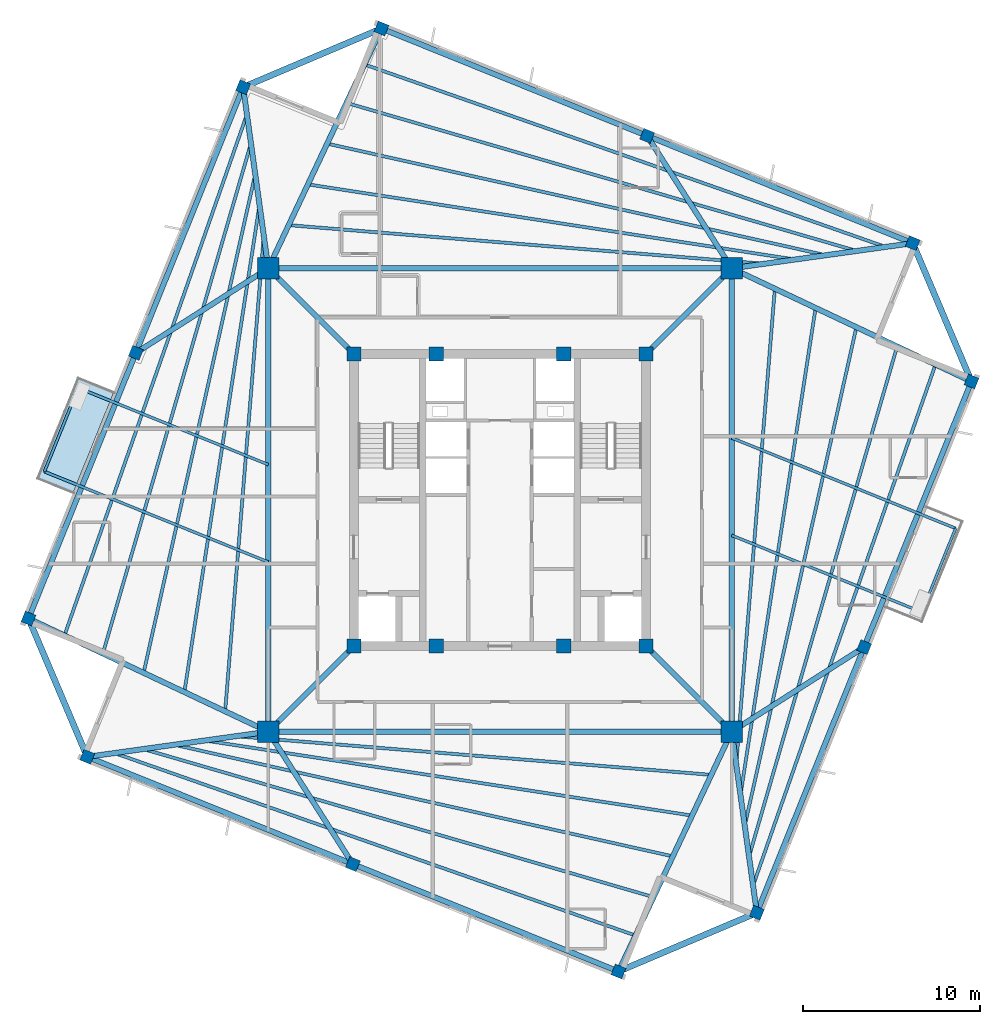
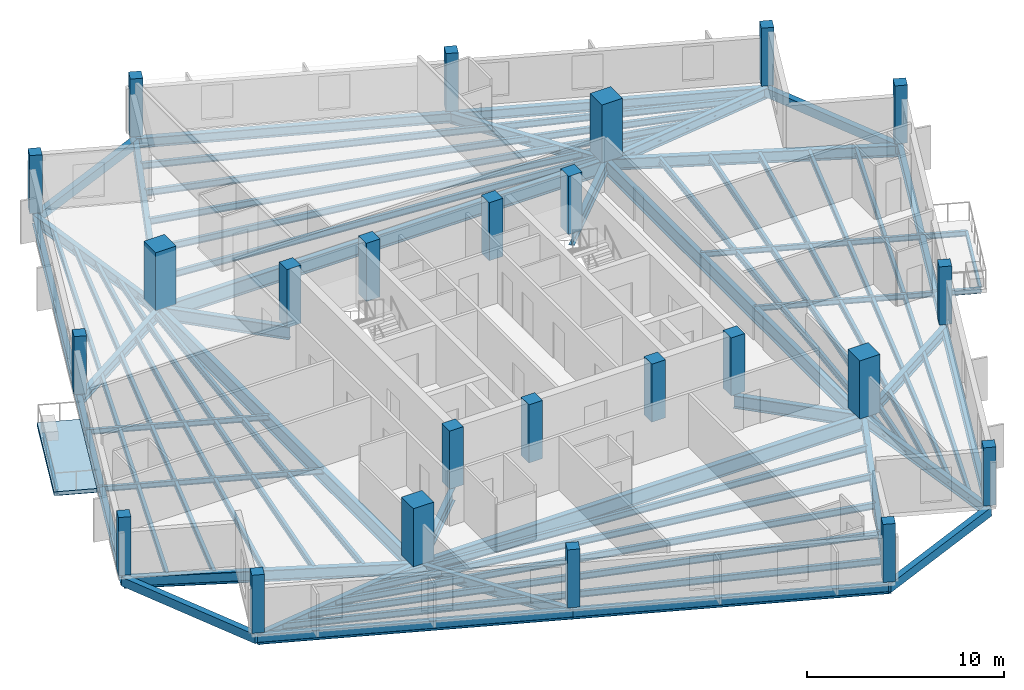
# One storey, part 1 of 8: 58 beams, 24 columns, 1 slab.
"""IFC4 building model written with IfcOpenShell, lengths in metres."""

from ifc_helpers import new_model, si_unit, direction, frame, origin, origin_2d, place, context, subcontext, project, spatial, polyline, rectangle, i_section, outline, extrude, source, transform, mapped, material, layer, layer_set, material_profile, profile_set, type_object, element, save


model = new_model("IFC4")

# Units and contexts
model_context = context("Model", 3, precision=1e-05, world=origin(), true_north=direction((0.0, 1.0)))
body_context = subcontext(model_context, "Body", "Model", "MODEL_VIEW")
ifc_project = project(units=[si_unit("LENGTHUNIT", "METRE"), si_unit("AREAUNIT", "SQUARE_METRE"), si_unit("VOLUMEUNIT", "CUBIC_METRE"), si_unit("PLANEANGLEUNIT", "RADIAN"), si_unit("MASSUNIT", "GRAM", prefix="KILO"), si_unit("THERMODYNAMICTEMPERATUREUNIT", "KELVIN")], contexts=[model_context])

# Site, building, storey
site_placement = place(None, origin())
site = spatial("IfcSite", under=ifc_project, at=site_placement, CompositionType="ELEMENT")
building_placement = place(site_placement, origin())
building = spatial("IfcBuilding", under=site, at=building_placement, Name="Kosmvard Interchange Tower", CompositionType="ELEMENT")
storey_placement = place(building_placement, frame((0.0, 0.0, 268.800048828125)))
storey = spatial("IfcBuildingStorey", under=building, at=storey_placement, Name="L65", CompositionType="ELEMENT", Elevation=268.800048828125)

# Columns
ifc_material_1 = material(Name="Concrete C50/60", Category="concrete")
ifc_material_profile_1 = material_profile(ifc_material_1, rectangle(XDim=0.800048828125, YDim=0.800048828125, at=origin_2d()), Name="CP 800x800")
ifc_profile_set_1 = profile_set([ifc_material_profile_1], Name="Concrete C50/60")
column_type_1 = type_object("IfcColumnType", Name="Core Boundary Pilaster 800x800 C50/60", PredefinedType="PILASTER", material=ifc_profile_set_1)
shared_shape_1 = source(origin(), body_context, "Body", "SweptSolid", [
    extrude(rectangle(XDim=0.800048828125, YDim=0.800048828125, at=origin_2d()), origin(), (0.0, 0.0, 1.0), 3.599853515625),
])
for number, where, z_axis, x_axis, name in (
    (1, (-8.25, -8.25, 0.0), (0.0, 0.0, 1.0), (1.0, 0.0, 0.0), "L65 Core Pilaster CP1"),
    (2, (8.25, -8.25, 0.0), (0.0, 0.0, 1.0), (1.0, 0.0, 0.0), "L65 Core Pilaster CP2"),
    (3, (8.25, 8.25, 0.0), (0.0, 0.0, 1.0), (1.0, 0.0, 0.0), "L65 Core Pilaster CP3"),
    (4, (-8.25, 8.25, 0.0), (0.0, 0.0, 1.0), (1.0, 0.0, 0.0), "L65 Core Pilaster CP4"),
    (5, (-3.60009765625, -8.25, 0.0), (0.0, 0.0, 1.0), (1.0, 0.0, 0.0), "L65 Core Pilaster CP5"),
    (6, (3.60009765625, -8.25, 0.0), (0.0, 0.0, 1.0), (1.0, 0.0, 0.0), "L65 Core Pilaster CP6"),
    (7, (-3.60009765625, 8.25, 0.0), (0.0, 0.0, 1.0), (1.0, 0.0, 0.0), "L65 Core Pilaster CP7"),
    (8, (3.60009765625, 8.25, 0.0), (0.0, 0.0, 1.0), (1.0, 0.0, 0.0), "L65 Core Pilaster CP8"),
):
    element("IfcColumn", number, at=place(storey_placement, frame(where, z_axis=z_axis, x_axis=x_axis)), inside=storey, type_object=column_type_1, Name=name, PredefinedType="PILASTER", context=body_context, shape_type="MappedRepresentation", body=[
        mapped(shared_shape_1, transform((0.0, 0.0, 0.0), scale=1.0)),
    ])
ifc_material_profile_2 = material_profile(ifc_material_1, rectangle(XDim=1.199951171875, YDim=1.199951171875, at=origin_2d()), Name="MC 1200x1200")
ifc_profile_set_2 = profile_set([ifc_material_profile_2], Name="Concrete C50/60")
column_type_2 = type_object("IfcColumnType", Name="Composite Mega-Column 1200x1200 C50/60", PredefinedType="COLUMN", material=ifc_profile_set_2)
shared_shape_2 = source(origin(), body_context, "Body", "SweptSolid", [
    extrude(rectangle(XDim=1.199951171875, YDim=1.199951171875, at=origin_2d()), origin(), (0.0, 0.0, 1.0), 3.599853515625),
])
for number, where, z_axis, x_axis, name in (
    (9, (-13.0810546875, -13.0810546875, 0.0), (0.0, 0.0, 1.0), (1.0, 0.0, 0.0), "L65 Corner Mega-Column MC1"),
    (10, (13.0810546875, -13.0810546875, 0.0), (0.0, 0.0, 1.0), (1.0, 0.0, 0.0), "L65 Corner Mega-Column MC2"),
    (11, (13.0810546875, 13.0810546875, 0.0), (0.0, 0.0, 1.0), (1.0, 0.0, 0.0), "L65 Corner Mega-Column MC3"),
    (12, (-13.0810546875, 13.0810546875, 0.0), (0.0, 0.0, 1.0), (1.0, 0.0, 0.0), "L65 Corner Mega-Column MC4"),
):
    element("IfcColumn", number, at=place(storey_placement, frame(where, z_axis=z_axis, x_axis=x_axis)), inside=storey, type_object=column_type_2, Name=name, PredefinedType="COLUMN", context=body_context, shape_type="MappedRepresentation", body=[
        mapped(shared_shape_2, transform((0.0, 0.0, 0.0), scale=1.0)),
    ])
ifc_material_profile_3 = material_profile(ifc_material_1, rectangle(XDim=0.64990234375, YDim=0.64990234375, at=origin_2d()), Name="TC 650x650")
ifc_profile_set_3 = profile_set([ifc_material_profile_3], Name="Concrete C50/60")
column_type_3 = type_object("IfcColumnType", Name="Zone 5 Perimeter Pier Column 650x650 C50/60", PredefinedType="COLUMN", material=ifc_profile_set_3)
shared_shape_3 = source(origin(), body_context, "Body", "SweptSolid", [
    extrude(rectangle(XDim=0.64990234375, YDim=0.64990234375, at=origin_2d()), origin(), (0.0, 0.0, 1.0), 3.599853515625),
])
for number, where, z_axis, x_axis, name in (
    (13, (14.5009765625, -23.30419921875, 0.0), (0.0, 0.0, 1.0), (0.374606593416, 0.927183854567, 0.0), "L65 Perimeter Pier Column TC-S1"),
    (14, (20.560302734375, -8.306884765625, 0.0), (0.0, 0.0, 1.0), (0.374606593416, 0.927183854567, 0.0), "L65 Perimeter Pier Column TC-S2"),
    (15, (26.61962890625, 6.690185546875, 0.0), (0.0, 0.0, 1.0), (0.374606593416, 0.927183854567, 0.0), "L65 Perimeter Pier Column TC-S3"),
    (16, (23.30419921875, 14.5009765625, 0.0), (0.0, 0.0, 1.0), (0.374606593416, 0.927183854567, 0.0), "L65 Perimeter Pier Column TC-E1"),
    (17, (8.306884765625, 20.560302734375, 0.0), (0.0, 0.0, 1.0), (0.374606593416, 0.927183854567, 0.0), "L65 Perimeter Pier Column TC-E2"),
    (18, (-6.690185546875, 26.61962890625, 0.0), (0.0, 0.0, 1.0), (0.374606593416, 0.927183854567, 0.0), "L65 Perimeter Pier Column TC-E3"),
    (19, (-14.5009765625, 23.30419921875, 0.0), (0.0, 0.0, 1.0), (0.374606593416, 0.927183854567, 0.0), "L65 Perimeter Pier Column TC-N1"),
    (20, (-20.560302734375, 8.306884765625, 0.0), (0.0, 0.0, 1.0), (0.374606593416, 0.927183854567, 0.0), "L65 Perimeter Pier Column TC-N2"),
    (21, (-26.61962890625, -6.690185546875, 0.0), (0.0, 0.0, 1.0), (0.374606593416, 0.927183854567, 0.0), "L65 Perimeter Pier Column TC-N3"),
    (22, (-23.30419921875, -14.5009765625, 0.0), (0.0, 0.0, 1.0), (0.374606593416, 0.927183854567, 0.0), "L65 Perimeter Pier Column TC-W1"),
    (23, (-8.306884765625, -20.560302734375, 0.0), (0.0, 0.0, 1.0), (0.374606593416, 0.927183854567, 0.0), "L65 Perimeter Pier Column TC-W2"),
    (24, (6.690185546875, -26.61962890625, 0.0), (0.0, 0.0, 1.0), (0.374606593416, 0.927183854567, 0.0), "L65 Perimeter Pier Column TC-W3"),
):
    element("IfcColumn", number, at=place(storey_placement, frame(where, z_axis=z_axis, x_axis=x_axis)), inside=storey, type_object=column_type_3, Name=name, PredefinedType="COLUMN", context=body_context, shape_type="MappedRepresentation", body=[
        mapped(shared_shape_3, transform((0.0, 0.0, 0.0), scale=1.0)),
    ])

# Beams
ifc_material_2 = material(Name="Steel S355", Category="steel")
ifc_material_profile_4 = material_profile(ifc_material_2, i_section(OverallWidth=0.14990234375, OverallDepth=0.300048828125, WebThickness=0.007080078125, FlangeThickness=0.0107421875, FilletRadius=0.014892578125, at=origin_2d()), Name="IPE 300")
ifc_profile_set_4 = profile_set([ifc_material_profile_4], Name="Steel S355")
beam_type_1 = type_object("IfcBeamType", Name="Balcony Edge Header Joist IPE 300 S355", PredefinedType="JOIST", material=ifc_profile_set_4)
shared_shape_4 = source(origin(), body_context, "Body", "SweptSolid", [
    extrude(i_section(OverallWidth=0.14990234375, OverallDepth=0.300048828125, WebThickness=0.007080078125, FlangeThickness=0.0107421875, FilletRadius=0.014892578125, at=origin_2d()), origin(), (0.0, 0.0, 1.0), 5.10009765625),
])
for number, where, z_axis, x_axis, name in (
    (25, (-23.812255859375, 6.331298828125, -0.400146484375), (-0.37458256161, -0.927193563684, 0.0), (0.927193563684, -0.37458256161, 0.0), "BM-L65-BJH1"),
    (26, (23.812255859375, -6.331298828125, -0.400146484375), (0.37458256161, 0.927193563684, 0.0), (-0.927193563684, 0.37458256161, 0.0), "BM-L65-BJH2"),
):
    element("IfcBeam", number, at=place(storey_placement, frame(where, z_axis=z_axis, x_axis=x_axis)), inside=storey, type_object=beam_type_1, Name=name, PredefinedType="JOIST", context=body_context, shape_type="MappedRepresentation", body=[
        mapped(shared_shape_4, transform((0.0, 0.0, 0.0), scale=1.0)),
    ])
ifc_material_profile_5 = material_profile(ifc_material_2, i_section(OverallWidth=0.300048828125, OverallDepth=0.800048828125, WebThickness=0.017578125, FlangeThickness=0.032958984375, FilletRadius=0.027099609375, at=origin_2d()), Name="HEB 800")
ifc_profile_set_5 = profile_set([ifc_material_profile_5], Name="Steel S355")
beam_type_2 = type_object("IfcBeamType", Name="Primary Mega-Frame Girder HEB 800 S355", PredefinedType="BEAM", material=ifc_profile_set_5)
shared_shape_5 = source(origin(), body_context, "Body", "SweptSolid", [
    extrude(i_section(OverallWidth=0.300048828125, OverallDepth=0.800048828125, WebThickness=0.017578125, FlangeThickness=0.032958984375, FilletRadius=0.027099609375, at=origin_2d()), origin(), (0.0, 0.0, 1.0), 6.83203125),
])
for number, where, z_axis, x_axis, name in (
    (27, (-8.25, -8.25, -0.650146484375), (-0.707106781187, -0.707106781187, 0.0), (0.707106781187, -0.707106781187, 0.0), "L65 Radial Mega-Frame Girder 1"),
    (28, (8.25, -8.25, -0.650146484375), (0.707106781187, -0.707106781187, 0.0), (0.707106781187, 0.707106781187, 0.0), "L65 Radial Mega-Frame Girder 2"),
    (29, (8.25, 8.25, -0.650146484375), (0.707106781187, 0.707106781187, 0.0), (-0.707106781187, 0.707106781187, 0.0), "L65 Radial Mega-Frame Girder 3"),
    (30, (-8.25, 8.25, -0.650146484375), (-0.707106781187, 0.707106781187, 0.0), (-0.707106781187, -0.707106781187, 0.0), "L65 Radial Mega-Frame Girder 4"),
):
    element("IfcBeam", number, at=place(storey_placement, frame(where, z_axis=z_axis, x_axis=x_axis)), inside=storey, type_object=beam_type_2, Name=name, PredefinedType="BEAM", context=body_context, shape_type="MappedRepresentation", body=[
        mapped(shared_shape_5, transform((0.0, 0.0, 0.0), scale=1.0)),
    ])
ifc_material_profile_6 = material_profile(ifc_material_2, i_section(OverallWidth=0.300048828125, OverallDepth=0.89990234375, WebThickness=0.0185546875, FlangeThickness=0.034912109375, FilletRadius=0.030029296875, at=origin_2d()), Name="HEB 900")
ifc_profile_set_6 = profile_set([ifc_material_profile_6], Name="Steel S355")
beam_type_3 = type_object("IfcBeamType", Name="Mega-Column Ring Girder HEB 900 S355", PredefinedType="BEAM", material=ifc_profile_set_6)
shared_shape_6 = source(origin(), body_context, "Body", "SweptSolid", [
    extrude(i_section(OverallWidth=0.300048828125, OverallDepth=0.89990234375, WebThickness=0.0185546875, FlangeThickness=0.034912109375, FilletRadius=0.030029296875, at=origin_2d()), origin(), (0.0, 0.0, 1.0), 26.162109375),
])
for number, where, z_axis, x_axis, name in (
    (31, (-13.0810546875, -13.0810546875, -0.699951171875), (1.0, 0.0, 0.0), (0.0, 1.0, 0.0), "L65 Mega-Column Ring Girder 1"),
    (32, (13.0810546875, -13.0810546875, -0.699951171875), (0.0, 1.0, 0.0), (-1.0, 0.0, 0.0), "L65 Mega-Column Ring Girder 2"),
    (33, (13.0810546875, 13.0810546875, -0.699951171875), (-1.0, 0.0, 0.0), (0.0, -1.0, 0.0), "L65 Mega-Column Ring Girder 3"),
    (34, (-13.0810546875, 13.0810546875, -0.699951171875), (0.0, -1.0, 0.0), (1.0, 0.0, 0.0), "L65 Mega-Column Ring Girder 4"),
):
    element("IfcBeam", number, at=place(storey_placement, frame(where, z_axis=z_axis, x_axis=x_axis)), inside=storey, type_object=beam_type_3, Name=name, PredefinedType="BEAM", context=body_context, shape_type="MappedRepresentation", body=[
        mapped(shared_shape_6, transform((0.0, 0.0, 0.0), scale=1.0)),
    ])
ifc_material_profile_7 = material_profile(ifc_material_2, i_section(OverallWidth=0.300048828125, OverallDepth=0.60009765625, WebThickness=0.015380859375, FlangeThickness=0.030029296875, FilletRadius=0.027099609375, at=origin_2d()), Name="HEB 600")
ifc_profile_set_7 = profile_set([ifc_material_profile_7], Name="Steel S355")
beam_type_4 = type_object("IfcBeamType", Name="Perimeter Tie Girder HEB 600 S355", PredefinedType="BEAM", material=ifc_profile_set_7)
shared_shape_7 = source(origin(), body_context, "Body", "SweptSolid", [
    extrude(i_section(OverallWidth=0.300048828125, OverallDepth=0.60009765625, WebThickness=0.015380859375, FlangeThickness=0.030029296875, FilletRadius=0.027099609375, at=origin_2d()), origin(), (0.0, 0.0, 1.0), 16.175048828125),
])
for number, where, z_axis, x_axis, name in (
    (35, (14.5009765625, -23.30419921875, -0.550048828125), (0.374607540279, 0.927183472009, 0.0), (-0.927183472009, 0.374607540279, 0.0), "BM-L65-PR01"),
    (36, (23.30419921875, 14.5009765625, -0.550048828125), (-0.927183472009, 0.374607540279, 0.0), (-0.374607540279, -0.927183472009, 0.0), "BM-L65-PR04"),
    (37, (-14.5009765625, 23.30419921875, -0.550048828125), (-0.374607540279, -0.927183472009, 0.0), (0.927183472009, -0.374607540279, 0.0), "BM-L65-PR07"),
    (38, (-23.30419921875, -14.5009765625, -0.550048828125), (0.927183472009, -0.374607540279, 0.0), (0.374607540279, 0.927183472009, 0.0), "BM-L65-PR10"),
):
    element("IfcBeam", number, at=place(storey_placement, frame(where, z_axis=z_axis, x_axis=x_axis)), inside=storey, type_object=beam_type_4, Name=name, PredefinedType="BEAM", context=body_context, shape_type="MappedRepresentation", body=[
        mapped(shared_shape_7, transform((0.0, 0.0, 0.0), scale=1.0)),
    ])
ifc_material_profile_8 = material_profile(ifc_material_2, i_section(OverallWidth=0.300048828125, OverallDepth=0.64990234375, WebThickness=0.01611328125, FlangeThickness=0.031005859375, FilletRadius=0.027099609375, at=origin_2d()), Name="HEB 650")
ifc_profile_set_8 = profile_set([ifc_material_profile_8], Name="Steel S355")
beam_type_5 = type_object("IfcBeamType", Name="Primary Floor Girder HEB 650 S355", PredefinedType="BEAM", material=ifc_profile_set_8)
shared_shape_8 = source(origin(), body_context, "Body", "SweptSolid", [
    extrude(i_section(OverallWidth=0.300048828125, OverallDepth=0.64990234375, WebThickness=0.01611328125, FlangeThickness=0.031005859375, FilletRadius=0.027099609375, at=origin_2d()), origin(), (0.0, 0.0, 1.0), 10.3212890625),
])
for number, where, z_axis, x_axis, name in (
    (39, (13.0810546875, -13.0810546875, -0.574951171875), (0.137572239014, -0.990491735984, 0.0), (0.990491735984, 0.137572239014, 0.0), "BM-L65-RD01"),
    (40, (13.0810546875, 13.0810546875, -0.574951171875), (0.990491735984, 0.137572239014, 0.0), (-0.137572239014, 0.990491735984, 0.0), "BM-L65-RD04"),
    (41, (-13.0810546875, 13.0810546875, -0.574951171875), (-0.137572239014, 0.990491735984, 0.0), (-0.990491735984, -0.137572239014, 0.0), "BM-L65-RD07"),
    (42, (-13.0810546875, -13.0810546875, -0.574951171875), (-0.990491735984, -0.137572239014, 0.0), (0.137572239014, -0.990491735984, 0.0), "BM-L65-RD10"),
):
    element("IfcBeam", number, at=place(storey_placement, frame(where, z_axis=z_axis, x_axis=x_axis)), inside=storey, type_object=beam_type_5, Name=name, PredefinedType="BEAM", context=body_context, shape_type="MappedRepresentation", body=[
        mapped(shared_shape_8, transform((0.0, 0.0, 0.0), scale=1.0)),
    ])
shared_shape_9 = source(origin(), body_context, "Body", "SweptSolid", [
    extrude(i_section(OverallWidth=0.300048828125, OverallDepth=0.60009765625, WebThickness=0.015380859375, FlangeThickness=0.030029296875, FilletRadius=0.027099609375, at=origin_2d()), origin(), (0.0, 0.0, 1.0), 16.1748046875),
])
for number, where, z_axis, x_axis, name in (
    (43, (20.560302734375, -8.306884765625, -0.550048828125), (0.374612782798, 0.92718135387, 0.0), (-0.92718135387, 0.374612782798, 0.0), "BM-L65-PR02"),
    (44, (8.306884765625, 20.560302734375, -0.550048828125), (-0.92718135387, 0.374612782798, 0.0), (-0.374612782798, -0.92718135387, 0.0), "BM-L65-PR05"),
    (45, (-20.560302734375, 8.306884765625, -0.550048828125), (-0.374612782798, -0.92718135387, 0.0), (0.92718135387, -0.374612782798, 0.0), "BM-L65-PR08"),
    (46, (-8.306884765625, -20.560302734375, -0.550048828125), (0.92718135387, -0.374612782798, 0.0), (0.374612782798, 0.92718135387, 0.0), "BM-L65-PR11"),
):
    element("IfcBeam", number, at=place(storey_placement, frame(where, z_axis=z_axis, x_axis=x_axis)), inside=storey, type_object=beam_type_4, Name=name, PredefinedType="BEAM", context=body_context, shape_type="MappedRepresentation", body=[
        mapped(shared_shape_9, transform((0.0, 0.0, 0.0), scale=1.0)),
    ])
shared_shape_10 = source(origin(), body_context, "Body", "SweptSolid", [
    extrude(i_section(OverallWidth=0.300048828125, OverallDepth=0.64990234375, WebThickness=0.01611328125, FlangeThickness=0.031005859375, FilletRadius=0.027099609375, at=origin_2d()), origin(), (0.0, 0.0, 1.0), 8.873046875),
])
for number, where, z_axis, x_axis, name in (
    (47, (13.0810546875, -13.0810546875, -0.574951171875), (0.842912916934, 0.538050011119, 0.0), (-0.538050011119, 0.842912916934, 0.0), "BM-L65-RD02"),
    (48, (13.0810546875, 13.0810546875, -0.574951171875), (-0.538050011119, 0.842912916934, 0.0), (-0.842912916934, -0.538050011119, 0.0), "BM-L65-RD05"),
    (49, (-13.0810546875, 13.0810546875, -0.574951171875), (-0.842912916934, -0.538050011119, 0.0), (0.538050011119, -0.842912916934, 0.0), "BM-L65-RD08"),
    (50, (-13.0810546875, -13.0810546875, -0.574951171875), (0.538050011119, -0.842912916934, 0.0), (0.842912916934, 0.538050011119, 0.0), "BM-L65-RD11"),
):
    element("IfcBeam", number, at=place(storey_placement, frame(where, z_axis=z_axis, x_axis=x_axis)), inside=storey, type_object=beam_type_5, Name=name, PredefinedType="BEAM", context=body_context, shape_type="MappedRepresentation", body=[
        mapped(shared_shape_10, transform((0.0, 0.0, 0.0), scale=1.0)),
    ])
ifc_material_3 = material(Name="Precast concrete C45/55", Category="concrete")
ifc_material_profile_9 = material_profile(ifc_material_3, rectangle(XDim=0.35009765625, YDim=0.550048828125, at=origin_2d()), Name="SL 350x550")
ifc_profile_set_9 = profile_set([ifc_material_profile_9], Name="Precast concrete C45/55")
beam_type_6 = type_object("IfcBeamType", Name="Precast Spandrel Lintel 350x550 C45/55", PredefinedType="LINTEL", material=ifc_profile_set_9)
shared_shape_11 = source(origin(), body_context, "Body", "SweptSolid", [
    extrude(rectangle(XDim=0.35009765625, YDim=0.550048828125, at=origin_2d()), origin(), (0.0, 0.0, 1.0), 8.4853515625),
])
for number, where, z_axis, x_axis, name in (
    (51, (26.61962890625, 6.690185546875, -0.525146484375), (-0.390725696857, 0.920507159025, 0.0), (-0.920507159025, -0.390725696857, 0.0), "BM-L65-SL1"),
    (52, (-6.690185546875, 26.61962890625, -0.525146484375), (-0.920507159025, -0.390725696857, 0.0), (0.390725696857, -0.920507159025, 0.0), "BM-L65-SL2"),
    (53, (-26.61962890625, -6.690185546875, -0.525146484375), (0.390725696857, -0.920507159025, 0.0), (0.920507159025, 0.390725696857, 0.0), "BM-L65-SL3"),
    (54, (6.690185546875, -26.61962890625, -0.525146484375), (0.920507159025, 0.390725696857, 0.0), (-0.390725696857, 0.920507159025, 0.0), "BM-L65-SL4"),
):
    element("IfcBeam", number, at=place(storey_placement, frame(where, z_axis=z_axis, x_axis=x_axis)), inside=storey, type_object=beam_type_6, Name=name, PredefinedType="LINTEL", context=body_context, shape_type="MappedRepresentation", body=[
        mapped(shared_shape_11, transform((0.0, 0.0, 0.0), scale=1.0)),
    ])
ifc_material_profile_10 = material_profile(ifc_material_2, i_section(OverallWidth=0.300048828125, OverallDepth=0.699951171875, WebThickness=0.01708984375, FlangeThickness=0.031982421875, FilletRadius=0.027099609375, at=origin_2d()), Name="HEB 700")
ifc_profile_set_10 = profile_set([ifc_material_profile_10], Name="Steel S355")
beam_type_7 = type_object("IfcBeamType", Name="Primary Floor Girder HEB 700 S355", PredefinedType="BEAM", material=ifc_profile_set_10)
shared_shape_12 = source(origin(), body_context, "Body", "SweptSolid", [
    extrude(i_section(OverallWidth=0.300048828125, OverallDepth=0.699951171875, WebThickness=0.01708984375, FlangeThickness=0.031982421875, FilletRadius=0.027099609375, at=origin_2d()), origin(), (0.0, 0.0, 1.0), 14.97119140625),
])
for number, where, z_axis, x_axis, name in (
    (55, (13.0810546875, 13.0810546875, -0.60009765625), (0.904309155001, -0.426878146761, 0.0), (0.426878146761, 0.904309155001, 0.0), "BM-L65-RD03"),
    (56, (-13.0810546875, 13.0810546875, -0.60009765625), (0.426878146761, 0.904309155001, 0.0), (-0.904309155001, 0.426878146761, 0.0), "BM-L65-RD06"),
    (57, (-13.0810546875, -13.0810546875, -0.60009765625), (-0.904309155001, 0.426878146761, 0.0), (-0.426878146761, -0.904309155001, 0.0), "BM-L65-RD09"),
    (58, (13.0810546875, -13.0810546875, -0.60009765625), (-0.426878146761, -0.904309155001, 0.0), (0.904309155001, -0.426878146761, 0.0), "BM-L65-RD12"),
):
    element("IfcBeam", number, at=place(storey_placement, frame(where, z_axis=z_axis, x_axis=x_axis)), inside=storey, type_object=beam_type_7, Name=name, PredefinedType="BEAM", context=body_context, shape_type="MappedRepresentation", body=[
        mapped(shared_shape_12, transform((0.0, 0.0, 0.0), scale=1.0)),
    ])
ifc_material_profile_11 = material_profile(ifc_material_2, i_section(OverallWidth=0.179931640625, OverallDepth=0.39990234375, WebThickness=0.008544921875, FlangeThickness=0.013427734375, FilletRadius=0.02099609375, at=origin_2d()), Name="IPE 400")
ifc_profile_set_11 = profile_set([ifc_material_profile_11], Name="Steel S355")
beam_type_8 = type_object("IfcBeamType", Name="Upper-Zone Floor Joist IPE 400 S355", PredefinedType="JOIST", material=ifc_profile_set_11)
shared_shape_13 = source(origin(), body_context, "Body", "SweptSolid", [
    extrude(i_section(OverallWidth=0.179931640625, OverallDepth=0.39990234375, WebThickness=0.008544921875, FlangeThickness=0.013427734375, FilletRadius=0.02099609375, at=origin_2d()), origin(), (0.0, 0.0, 1.0), 26.780029296875),
])
for number, where, z_axis, x_axis, name in (
    (59, (13.343017578125, -14.84130859375, -0.449951171875), (0.080972773487, 0.996716313679, 0.0), (-0.996716313679, 0.080972773487, 0.0), "BM-L65-FJ01"),
    (60, (14.84130859375, 13.343017578125, -0.449951171875), (-0.996716313679, 0.080972773487, 0.0), (-0.080972773487, -0.996716313679, 0.0), "BM-L65-FJ06"),
    (61, (-13.343017578125, 14.84130859375, -0.449951171875), (-0.080972773487, -0.996716313679, 0.0), (0.996716313679, -0.080972773487, 0.0), "BM-L65-FJ11"),
    (62, (-14.84130859375, -13.343017578125, -0.449951171875), (0.996716313679, -0.080972773487, 0.0), (0.080972773487, 0.996716313679, 0.0), "BM-L65-FJ16"),
):
    element("IfcBeam", number, at=place(storey_placement, frame(where, z_axis=z_axis, x_axis=x_axis)), inside=storey, type_object=beam_type_8, Name=name, PredefinedType="JOIST", context=body_context, shape_type="MappedRepresentation", body=[
        mapped(shared_shape_13, transform((0.0, 0.0, 0.0), scale=1.0)),
    ])
shared_shape_14 = source(origin(), body_context, "Body", "SweptSolid", [
    extrude(i_section(OverallWidth=0.179931640625, OverallDepth=0.39990234375, WebThickness=0.008544921875, FlangeThickness=0.013427734375, FilletRadius=0.02099609375, at=origin_2d()), origin(), (0.0, 0.0, 1.0), 27.66845703125),
])
for number, where, z_axis, x_axis, name in (
    (63, (13.590087890625, -16.580078125, -0.449951171875), (0.152421855854, 0.988315525456, 0.0), (-0.988315525456, 0.152421855854, 0.0), "BM-L65-FJ02"),
    (64, (16.580078125, 13.590087890625, -0.449951171875), (-0.988315525456, 0.152421855854, 0.0), (-0.152421855854, -0.988315525456, 0.0), "BM-L65-FJ07"),
    (65, (-13.590087890625, 16.580078125, -0.449951171875), (-0.152421855854, -0.988315525456, 0.0), (0.988315525456, -0.152421855854, 0.0), "BM-L65-FJ12"),
    (66, (-16.580078125, -13.590087890625, -0.449951171875), (0.988315525456, -0.152421855854, 0.0), (0.152421855854, 0.988315525456, 0.0), "BM-L65-FJ17"),
):
    element("IfcBeam", number, at=place(storey_placement, frame(where, z_axis=z_axis, x_axis=x_axis)), inside=storey, type_object=beam_type_8, Name=name, PredefinedType="JOIST", context=body_context, shape_type="MappedRepresentation", body=[
        mapped(shared_shape_14, transform((0.0, 0.0, 0.0), scale=1.0)),
    ])
shared_shape_15 = source(origin(), body_context, "Body", "SweptSolid", [
    extrude(i_section(OverallWidth=0.179931640625, OverallDepth=0.39990234375, WebThickness=0.008544921875, FlangeThickness=0.013427734375, FilletRadius=0.02099609375, at=origin_2d()), origin(), (0.0, 0.0, 1.0), 28.691162109375),
])
for number, where, z_axis, x_axis, name in (
    (67, (13.8369140625, -18.31884765625, -0.449951171875), (0.218415018158, 0.975855972899, 0.0), (-0.975855972899, 0.218415018158, 0.0), "BM-L65-FJ03"),
    (68, (18.31884765625, 13.8369140625, -0.449951171875), (-0.975855972899, 0.218415018158, 0.0), (-0.218415018158, -0.975855972899, 0.0), "BM-L65-FJ08"),
    (69, (-13.8369140625, 18.31884765625, -0.449951171875), (-0.218415018158, -0.975855972899, 0.0), (0.975855972899, -0.218415018158, 0.0), "BM-L65-FJ13"),
    (70, (-18.31884765625, -13.8369140625, -0.449951171875), (0.975855972899, -0.218415018158, 0.0), (0.218415018158, 0.975855972899, 0.0), "BM-L65-FJ18"),
):
    element("IfcBeam", number, at=place(storey_placement, frame(where, z_axis=z_axis, x_axis=x_axis)), inside=storey, type_object=beam_type_8, Name=name, PredefinedType="JOIST", context=body_context, shape_type="MappedRepresentation", body=[
        mapped(shared_shape_15, transform((0.0, 0.0, 0.0), scale=1.0)),
    ])
shared_shape_16 = source(origin(), body_context, "Body", "SweptSolid", [
    extrude(i_section(OverallWidth=0.179931640625, OverallDepth=0.39990234375, WebThickness=0.008544921875, FlangeThickness=0.013427734375, FilletRadius=0.02099609375, at=origin_2d()), origin(), (0.0, 0.0, 1.0), 29.83544921875),
])
for number, where, z_axis, x_axis, name in (
    (71, (14.0830078125, -20.05810546875, -0.449951171875), (0.27877586881, 0.960356191717, 0.0), (-0.960356191717, 0.27877586881, 0.0), "BM-L65-FJ04"),
    (72, (20.05810546875, 14.0830078125, -0.449951171875), (-0.960356191717, 0.27877586881, 0.0), (-0.27877586881, -0.960356191717, 0.0), "BM-L65-FJ09"),
    (73, (-14.0830078125, 20.05810546875, -0.449951171875), (-0.27877586881, -0.960356191717, 0.0), (0.960356191717, -0.27877586881, 0.0), "BM-L65-FJ14"),
    (74, (-20.05810546875, -14.0830078125, -0.449951171875), (0.960356191717, -0.27877586881, 0.0), (0.27877586881, 0.960356191717, 0.0), "BM-L65-FJ19"),
):
    element("IfcBeam", number, at=place(storey_placement, frame(where, z_axis=z_axis, x_axis=x_axis)), inside=storey, type_object=beam_type_8, Name=name, PredefinedType="JOIST", context=body_context, shape_type="MappedRepresentation", body=[
        mapped(shared_shape_16, transform((0.0, 0.0, 0.0), scale=1.0)),
    ])
shared_shape_17 = source(origin(), body_context, "Body", "SweptSolid", [
    extrude(i_section(OverallWidth=0.179931640625, OverallDepth=0.39990234375, WebThickness=0.008544921875, FlangeThickness=0.013427734375, FilletRadius=0.02099609375, at=origin_2d()), origin(), (0.0, 0.0, 1.0), 31.0107421875),
])
for number, where, z_axis, x_axis, name in (
    (75, (14.314453125, -21.695068359375, -0.449951171875), (0.330459834828, 0.943820055713, 0.0), (-0.943820055713, 0.330459834828, 0.0), "BM-L65-FJ05"),
    (76, (21.695068359375, 14.314453125, -0.449951171875), (-0.943820055713, 0.330459834828, 0.0), (-0.330459834828, -0.943820055713, 0.0), "BM-L65-FJ10"),
    (77, (-14.314453125, 21.695068359375, -0.449951171875), (-0.330459834828, -0.943820055713, 0.0), (0.943820055713, -0.330459834828, 0.0), "BM-L65-FJ15"),
    (78, (-21.695068359375, -14.314453125, -0.449951171875), (0.943820055713, -0.330459834828, 0.0), (0.330459834828, 0.943820055713, 0.0), "BM-L65-FJ20"),
):
    element("IfcBeam", number, at=place(storey_placement, frame(where, z_axis=z_axis, x_axis=x_axis)), inside=storey, type_object=beam_type_8, Name=name, PredefinedType="JOIST", context=body_context, shape_type="MappedRepresentation", body=[
        mapped(shared_shape_17, transform((0.0, 0.0, 0.0), scale=1.0)),
    ])
ifc_material_profile_12 = material_profile(ifc_material_2, i_section(OverallWidth=0.159912109375, OverallDepth=0.330078125, WebThickness=0.007568359375, FlangeThickness=0.011474609375, FilletRadius=0.01806640625, at=origin_2d()), Name="IPE 330")
ifc_profile_set_12 = profile_set([ifc_material_profile_12], Name="Steel S355")
beam_type_9 = type_object("IfcBeamType", Name="Balcony Cantilever Joist IPE 330 S355", PredefinedType="JOIST", material=ifc_profile_set_12)
shared_shape_18 = source(origin(), body_context, "Body", "SweptSolid", [
    extrude(i_section(OverallWidth=0.159912109375, OverallDepth=0.330078125, WebThickness=0.007568359375, FlangeThickness=0.011474609375, FilletRadius=0.01806640625, at=origin_2d()), origin(), (0.0, 0.0, 1.0), 11.573974609375),
])
for number, where, z_axis, x_axis, name in (
    (79, (-13.0810546875, 1.99560546875, -0.4150390625), (-0.927183654967, 0.374607087443, 0.0), (-0.374607087443, -0.927183654967, 0.0), "BM-L65-BJ1"),
    (80, (13.0810546875, -1.99560546875, -0.4150390625), (0.927183654967, -0.374607087443, 0.0), (0.374607087443, 0.927183654967, 0.0), "BM-L65-BJ2"),
):
    element("IfcBeam", number, at=place(storey_placement, frame(where, z_axis=z_axis, x_axis=x_axis)), inside=storey, type_object=beam_type_9, Name=name, PredefinedType="JOIST", context=body_context, shape_type="MappedRepresentation", body=[
        mapped(shared_shape_18, transform((0.0, 0.0, 0.0), scale=1.0)),
    ])
shared_shape_19 = source(origin(), body_context, "Body", "SweptSolid", [
    extrude(i_section(OverallWidth=0.159912109375, OverallDepth=0.330078125, WebThickness=0.007568359375, FlangeThickness=0.011474609375, FilletRadius=0.01806640625, at=origin_2d()), origin(), (0.0, 0.0, 1.0), 13.63427734375),
])
for number, where, z_axis, x_axis, name in (
    (81, (-13.0810546875, -3.5048828125, -0.4150390625), (-0.927186827234, 0.374599235723, 0.0), (-0.374599235723, -0.927186827234, 0.0), "BM-L65-BJB1"),
    (82, (13.0810546875, 3.5048828125, -0.4150390625), (0.927186827234, -0.374599235723, 0.0), (0.374599235723, 0.927186827234, 0.0), "BM-L65-BJB2"),
):
    element("IfcBeam", number, at=place(storey_placement, frame(where, z_axis=z_axis, x_axis=x_axis)), inside=storey, type_object=beam_type_9, Name=name, PredefinedType="JOIST", context=body_context, shape_type="MappedRepresentation", body=[
        mapped(shared_shape_19, transform((0.0, 0.0, 0.0), scale=1.0)),
    ])

# Slab
ifc_layer = layer(ifc_material_1, 0.22998046875, Name="Concrete C50/60")
ifc_layer_set = layer_set([ifc_layer], Name="Concrete C50/60")
slab_type = type_object("IfcSlabType", Name="Tree-Planter Cantilever Balcony Slab 230 C50/60", PredefinedType="FLOOR", material=ifc_layer_set)
slab_placement = place(storey_placement, frame((0.0, 0.0, -0.22998046875)))
element("IfcSlab", 83, at=slab_placement, inside=storey, type_object=slab_type, Name="L65 Outdoor Terrace Balcony Slab BAL-L65-NE", PredefinedType="FLOOR", context=body_context, shape_type="SweptSolid", body=[
    extrude(outline(polyline([(-24.12060546875, 0.362060546875), (-21.798095703125, 6.110595703125), (-23.837890625, 6.934814453125), (-26.160400390625, 1.186279296875), (-24.12060546875, 0.362060546875)])), origin(), (0.0, 0.0, 1.0), 0.22998046875),
])

save(model, "model.ifc")
